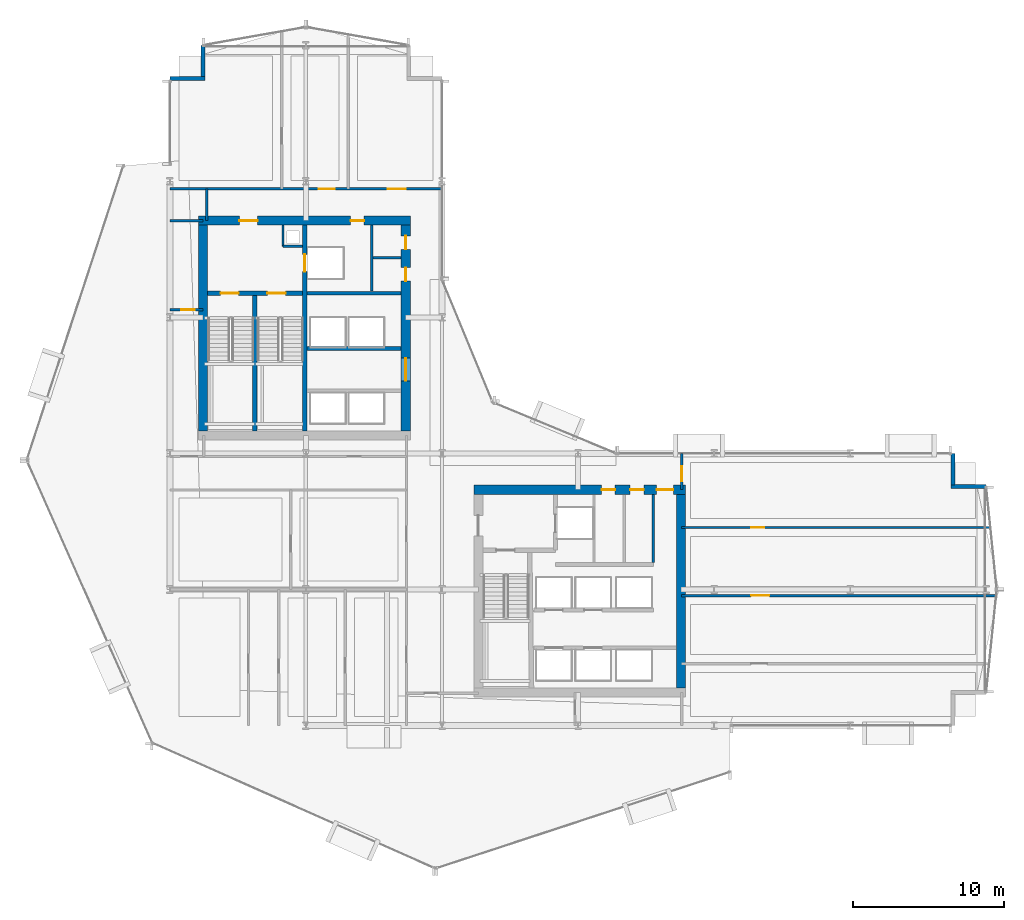
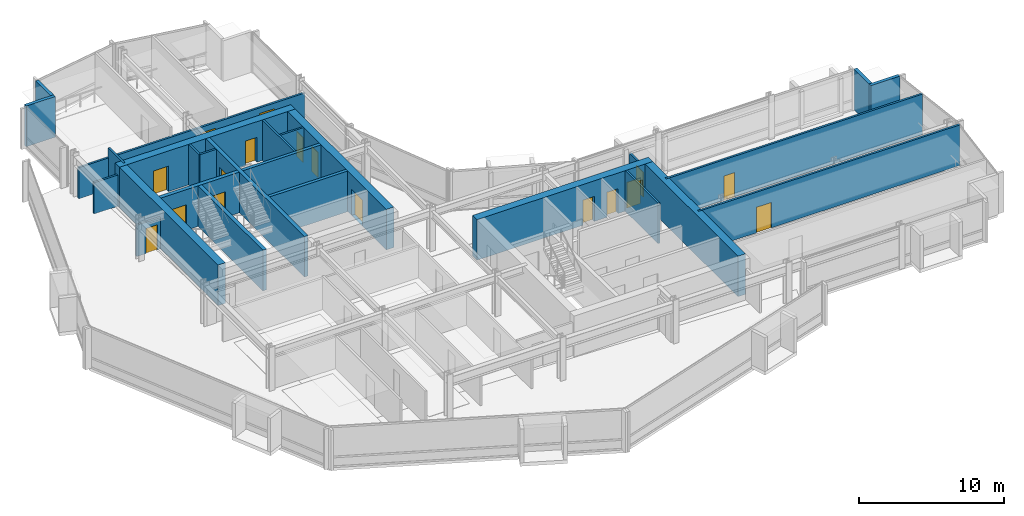
# One storey, part 28 of 34: 26 walls, 17 doors, 17 openings.
"""IFC4 building model written with IfcOpenShell, lengths in metres."""

from ifc_helpers import new_model, si_unit, direction, frame, frame_2d, origin, place, context, subcontext, project, spatial, rectangle, extrude, material, layer, layer_set, type_object, element, fill, save


model = new_model("IFC4")

# Units and contexts
model_context = context("Model", 3, precision=1e-05, world=origin(), true_north=direction((0.0, 1.0)))
body_context = subcontext(model_context, "Body", "Model", "MODEL_VIEW")
ifc_project = project(units=[si_unit("LENGTHUNIT", "METRE"), si_unit("AREAUNIT", "SQUARE_METRE"), si_unit("VOLUMEUNIT", "CUBIC_METRE"), si_unit("PLANEANGLEUNIT", "RADIAN"), si_unit("MASSUNIT", "GRAM", prefix="KILO")], contexts=[model_context])

# Site, building, storey
site_placement = place(None, origin())
site = spatial("IfcSite", under=ifc_project, at=site_placement, CompositionType="ELEMENT")
building_placement = place(site_placement, origin())
building = spatial("IfcBuilding", under=site, at=building_placement, Name="Solvaryn Broadcast Tower", CompositionType="ELEMENT")
storey_placement = place(building_placement, frame((0.0, 0.0, 47.10009765625)))
storey = spatial("IfcBuildingStorey", under=building, at=storey_placement, Name="L10", CompositionType="ELEMENT", Elevation=47.10009765625)

# Wall, openings, doors
ifc_material_1 = material(Name="Concrete f'c 70 MPa", Category="concrete")
ifc_layer_1 = layer(ifc_material_1, 0.60009765625)
ifc_layer_set_1 = layer_set([ifc_layer_1], Name="CW-SHEAR-600")
wall_type_1 = type_object("IfcWallType", Name="CW-SHEAR-600", PredefinedType="SHEAR", material=ifc_layer_set_1)
wall_1_placement = place(storey_placement, frame((24.89990234375, 42.39990234375, 0.0), z_axis=(0.0, 0.0, 1.0), x_axis=(-1.0, 0.0, 0.0)))
wall_1 = element("IfcWall", 1, at=wall_1_placement, inside=storey, type_object=wall_type_1, Name="L10 West Core North Shear Wall", PredefinedType="SHEAR", context=body_context, shape_type="SweptSolid", body=[
    extrude(rectangle(XDim=14.0, YDim=0.60009765625, at=frame_2d((7.0, 0.0))), origin(), (0.0, 0.0, 1.0), 3.419921875),
])
opening_1_placement = place(wall_1_placement, frame((10.10009765625, 0.0, 0.0)))
opening_1 = element("IfcOpeningElement", 2, at=opening_1_placement, cuts=wall_1, Name="Opening FD90A", PredefinedType="OPENING", context=body_context, shape_type="SweptSolid", body=[
    extrude(rectangle(XDim=1.199951171875, YDim=2.14990234375, at=frame_2d((0.60009765625, 1.074951171875))), frame((0.0, 0.31005859375, 0.0), z_axis=(0.0, -1.0, 0.0), x_axis=(1.0, 0.0, 0.0)), (0.0, 0.0, 1.0), 0.6201171875),
])
opening_2_placement = place(wall_1_placement, frame((3.050048828125, 0.0, 0.0)))
opening_2 = element("IfcOpeningElement", 3, at=opening_2_placement, cuts=wall_1, Name="Opening FD60C", PredefinedType="OPENING", context=body_context, shape_type="SweptSolid", body=[
    extrude(rectangle(XDim=0.89990234375, YDim=2.10009765625, at=frame_2d((0.449951171875, 1.050048828125))), frame((0.0, 0.31005859375, 0.0), z_axis=(0.0, -1.0, 0.0), x_axis=(1.0, 0.0, 0.0)), (0.0, 0.0, 1.0), 0.6201171875),
])
ifc_material_2 = material(Name="Flush Acoustic Steel and Timber Door Assembly", Category="steel")
door_type_1 = type_object("IfcDoorType", Name="FD60-SERV-900X2100", OperationType="NOTDEFINED", PredefinedType="DOOR", material=ifc_material_2)
door_1_placement = place(opening_2_placement, origin())
door_1 = element("IfcDoor", 4, at=door_1_placement, inside=storey, type_object=door_type_1, Name="L10 West Core Fiber Riser Door", OperationType="SINGLE_SWING_RIGHT", OverallHeight=2.10009765625, OverallWidth=0.89990234375, PredefinedType="DOOR", context=body_context, shape_type="SweptSolid", body=[
    extrude(rectangle(XDim=0.89990234375, YDim=2.10009765625, at=frame_2d((0.449951171875, 1.050048828125))), frame((0.0, 0.02490234375, 0.0), z_axis=(0.0, -1.0, 0.0), x_axis=(1.0, 0.0, 0.0)), (0.0, 0.0, 1.0), 0.050048828125),
])
fill(opening_2, door_1)
ifc_material_3 = material(Name="Flush Acoustic Steel and Timber Door Assembly", Category="steel")
door_type_2 = type_object("IfcDoorType", Name="FD90-STAIR-1200X2150", OperationType="NOTDEFINED", PredefinedType="DOOR", material=ifc_material_3)
door_2_placement = place(opening_1_placement, origin())
door_2 = element("IfcDoor", 5, at=door_2_placement, inside=storey, type_object=door_type_2, Name="L10 West FSAE Lobby Corridor Door", OperationType="SINGLE_SWING_LEFT", OverallHeight=2.14990234375, OverallWidth=1.199951171875, PredefinedType="DOOR", context=body_context, shape_type="SweptSolid", body=[
    extrude(rectangle(XDim=1.199951171875, YDim=2.14990234375, at=frame_2d((0.60009765625, 1.074951171875))), frame((0.0, 0.02490234375, 0.0), z_axis=(0.0, -1.0, 0.0), x_axis=(1.0, 0.0, 0.0)), (0.0, 0.0, 1.0), 0.050048828125),
])
fill(opening_1, door_2)

# Wall
wall_2_placement = place(storey_placement, frame((11.199951171875, 42.10009765625, 0.0), z_axis=(0.0, 0.0, 1.0), x_axis=(0.0, -1.0, 0.0)))
element("IfcWall", 6, at=wall_2_placement, inside=storey, type_object=wall_type_1, Name="L10 West Core West Shear Wall", PredefinedType="SHEAR", context=body_context, shape_type="SweptSolid", body=[
    extrude(rectangle(XDim=13.60009765625, YDim=0.60009765625, at=frame_2d((6.800048828125, 0.0))), origin(), (0.0, 0.0, 1.0), 3.419921875),
])

# Wall, openings, doors
wall_3_placement = place(storey_placement, frame((24.60009765625, 28.5, 0.0), z_axis=(0.0, 0.0, 1.0), x_axis=(0.0, 1.0, 0.0)))
wall_3 = element("IfcWall", 7, at=wall_3_placement, inside=storey, type_object=wall_type_1, Name="L10 West Core East Shear Wall", PredefinedType="SHEAR", context=body_context, shape_type="SweptSolid", body=[
    extrude(rectangle(XDim=13.60009765625, YDim=0.60009765625, at=frame_2d((6.800048828125, 0.0))), origin(), (0.0, 0.0, 1.0), 3.419921875),
])
opening_3_placement = place(wall_3_placement, frame((3.300048828125, 0.0, 0.0)))
opening_3 = element("IfcOpeningElement", 8, at=opening_3_placement, cuts=wall_3, Name="Opening FD60A", PredefinedType="OPENING", context=body_context, shape_type="SweptSolid", body=[
    extrude(rectangle(XDim=1.5, YDim=2.199951171875, at=frame_2d((0.75, 1.10009765625))), frame((0.0, 0.31005859375, 0.0), z_axis=(0.0, -1.0, 0.0), x_axis=(1.0, 0.0, 0.0)), (0.0, 0.0, 1.0), 0.6201171875),
])
opening_4_placement = place(wall_3_placement, frame((9.89990234375, 0.0, 0.0)))
opening_4 = element("IfcOpeningElement", 9, at=opening_4_placement, cuts=wall_3, Name="Opening FD60C", PredefinedType="OPENING", context=body_context, shape_type="SweptSolid", body=[
    extrude(rectangle(XDim=0.89990234375, YDim=2.10009765625, at=frame_2d((0.449951171875, 1.050048828125))), frame((0.0, 0.31005859375, 0.0), z_axis=(0.0, -1.0, 0.0), x_axis=(1.0, 0.0, 0.0)), (0.0, 0.0, 1.0), 0.6201171875),
])
opening_5_placement = place(wall_3_placement, frame((12.0, 0.0, 0.0)))
opening_5 = element("IfcOpeningElement", 10, at=opening_5_placement, cuts=wall_3, Name="Opening FD60C", PredefinedType="OPENING", context=body_context, shape_type="SweptSolid", body=[
    extrude(rectangle(XDim=0.89990234375, YDim=2.10009765625, at=frame_2d((0.449951171875, 1.050048828125))), frame((0.0, 0.31005859375, 0.0), z_axis=(0.0, -1.0, 0.0), x_axis=(1.0, 0.0, 0.0)), (0.0, 0.0, 1.0), 0.6201171875),
])
ifc_material_4 = material(Name="Flush Acoustic Steel and Timber Door Assembly", Category="steel")
door_type_3 = type_object("IfcDoorType", Name="FD60-CORR-1500X2200", OperationType="NOTDEFINED", PredefinedType="DOOR", material=ifc_material_4)
door_3_placement = place(opening_3_placement, origin())
door_3 = element("IfcDoor", 11, at=door_3_placement, inside=storey, type_object=door_type_3, Name="L10 West Elevator Lobby Corridor Door", OperationType="DOUBLE_DOOR_SINGLE_SWING", OverallHeight=2.199951171875, OverallWidth=1.5, PredefinedType="DOOR", context=body_context, shape_type="SweptSolid", body=[
    extrude(rectangle(XDim=1.5, YDim=2.199951171875, at=frame_2d((0.75, 1.10009765625))), frame((0.0, 0.02490234375, 0.0), z_axis=(0.0, -1.0, 0.0), x_axis=(1.0, 0.0, 0.0)), (0.0, 0.0, 1.0), 0.050048828125),
])
fill(opening_3, door_3)
door_4_placement = place(opening_4_placement, origin())
door_4 = element("IfcDoor", 12, at=door_4_placement, inside=storey, type_object=door_type_1, Name="L10 West Core Service Door 1", OperationType="SINGLE_SWING_LEFT", OverallHeight=2.10009765625, OverallWidth=0.89990234375, PredefinedType="DOOR", context=body_context, shape_type="SweptSolid", body=[
    extrude(rectangle(XDim=0.89990234375, YDim=2.10009765625, at=frame_2d((0.449951171875, 1.050048828125))), frame((0.0, 0.02490234375, 0.0), z_axis=(0.0, -1.0, 0.0), x_axis=(1.0, 0.0, 0.0)), (0.0, 0.0, 1.0), 0.050048828125),
])
fill(opening_4, door_4)
door_5_placement = place(opening_5_placement, origin())
door_5 = element("IfcDoor", 13, at=door_5_placement, inside=storey, type_object=door_type_1, Name="L10 West Core Janitor Door", OperationType="SINGLE_SWING_RIGHT", OverallHeight=2.10009765625, OverallWidth=0.89990234375, PredefinedType="DOOR", context=body_context, shape_type="SweptSolid", body=[
    extrude(rectangle(XDim=0.89990234375, YDim=2.10009765625, at=frame_2d((0.449951171875, 1.050048828125))), frame((0.0, 0.02490234375, 0.0), z_axis=(0.0, -1.0, 0.0), x_axis=(1.0, 0.0, 0.0)), (0.0, 0.0, 1.0), 0.050048828125),
])
fill(opening_5, door_5)

wall_4_placement = place(storey_placement, frame((43.10009765625, 24.60009765625, 0.0), z_axis=(0.0, 0.0, 1.0), x_axis=(-1.0, 0.0, 0.0)))
wall_4 = element("IfcWall", 14, at=wall_4_placement, inside=storey, type_object=wall_type_1, Name="L10 East Core North Shear Wall", PredefinedType="SHEAR", context=body_context, shape_type="SweptSolid", body=[
    extrude(rectangle(XDim=14.0, YDim=0.60009765625, at=frame_2d((7.0, 0.0))), origin(), (0.0, 0.0, 1.0), 3.419921875),
])
opening_6_placement = place(wall_4_placement, frame((0.800048828125, 0.0, 0.0)))
opening_6 = element("IfcOpeningElement", 15, at=opening_6_placement, cuts=wall_4, Name="Opening FD90C", PredefinedType="OPENING", context=body_context, shape_type="SweptSolid", body=[
    extrude(rectangle(XDim=1.10009765625, YDim=2.14990234375, at=frame_2d((0.550048828125, 1.074951171875))), frame((0.0, 0.31005859375, 0.0), z_axis=(0.0, -1.0, 0.0), x_axis=(1.0, 0.0, 0.0)), (0.0, 0.0, 1.0), 0.6201171875),
])
opening_7_placement = place(wall_4_placement, frame((2.75, 0.0, 0.0)))
opening_7 = element("IfcOpeningElement", 16, at=opening_7_placement, cuts=wall_4, Name="Opening FD60C", PredefinedType="OPENING", context=body_context, shape_type="SweptSolid", body=[
    extrude(rectangle(XDim=0.89990234375, YDim=2.10009765625, at=frame_2d((0.449951171875, 1.050048828125))), frame((0.0, 0.31005859375, 0.0), z_axis=(0.0, -1.0, 0.0), x_axis=(1.0, 0.0, 0.0)), (0.0, 0.0, 1.0), 0.6201171875),
])
opening_8_placement = place(wall_4_placement, frame((4.64990234375, 0.0, 0.0)))
opening_8 = element("IfcOpeningElement", 17, at=opening_8_placement, cuts=wall_4, Name="Opening FD60C", PredefinedType="OPENING", context=body_context, shape_type="SweptSolid", body=[
    extrude(rectangle(XDim=0.89990234375, YDim=2.10009765625, at=frame_2d((0.449951171875, 1.050048828125))), frame((0.0, 0.31005859375, 0.0), z_axis=(0.0, -1.0, 0.0), x_axis=(1.0, 0.0, 0.0)), (0.0, 0.0, 1.0), 0.6201171875),
])
door_6_placement = place(opening_7_placement, origin())
door_6 = element("IfcDoor", 18, at=door_6_placement, inside=storey, type_object=door_type_1, Name="L10 Staff Restroom Door", OperationType="SINGLE_SWING_LEFT", OverallHeight=2.10009765625, OverallWidth=0.89990234375, PredefinedType="DOOR", context=body_context, shape_type="SweptSolid", body=[
    extrude(rectangle(XDim=0.89990234375, YDim=2.10009765625, at=frame_2d((0.449951171875, 1.050048828125))), frame((0.0, 0.02490234375, 0.0), z_axis=(0.0, -1.0, 0.0), x_axis=(1.0, 0.0, 0.0)), (0.0, 0.0, 1.0), 0.050048828125),
])
fill(opening_7, door_6)
door_7_placement = place(opening_8_placement, origin())
door_7 = element("IfcDoor", 19, at=door_7_placement, inside=storey, type_object=door_type_1, Name="L10 Accessible WC Door", OperationType="SINGLE_SWING_RIGHT", OverallHeight=2.10009765625, OverallWidth=0.89990234375, PredefinedType="DOOR", context=body_context, shape_type="SweptSolid", body=[
    extrude(rectangle(XDim=0.89990234375, YDim=2.10009765625, at=frame_2d((0.449951171875, 1.050048828125))), frame((0.0, 0.02490234375, 0.0), z_axis=(0.0, -1.0, 0.0), x_axis=(1.0, 0.0, 0.0)), (0.0, 0.0, 1.0), 0.050048828125),
])
fill(opening_8, door_7)
ifc_material_5 = material(Name="Flush Acoustic Steel and Timber Door Assembly", Category="steel")
door_type_4 = type_object("IfcDoorType", Name="FD90-PLANT-1100X2150", OperationType="NOTDEFINED", PredefinedType="DOOR", material=ifc_material_5)
door_8_placement = place(opening_6_placement, origin())
door_8 = element("IfcDoor", 20, at=door_8_placement, inside=storey, type_object=door_type_4, Name="L10 East Core Lobby Corridor Door", OperationType="SINGLE_SWING_LEFT", OverallHeight=2.14990234375, OverallWidth=1.10009765625, PredefinedType="DOOR", context=body_context, shape_type="SweptSolid", body=[
    extrude(rectangle(XDim=1.10009765625, YDim=2.14990234375, at=frame_2d((0.550048828125, 1.074951171875))), frame((0.0, 0.02490234375, 0.0), z_axis=(0.0, -1.0, 0.0), x_axis=(1.0, 0.0, 0.0)), (0.0, 0.0, 1.0), 0.050048828125),
])
fill(opening_6, door_8)

# Walls
wall_5_placement = place(storey_placement, frame((42.800048828125, 11.5, 0.0), z_axis=(0.0, 0.0, 1.0), x_axis=(0.0, 1.0, 0.0)))
element("IfcWall", 21, at=wall_5_placement, inside=storey, type_object=wall_type_1, Name="L10 East Core East Shear Wall", PredefinedType="SHEAR", context=body_context, shape_type="SweptSolid", body=[
    extrude(rectangle(XDim=12.800048828125, YDim=0.60009765625, at=frame_2d((6.39990234375, 0.0))), origin(), (0.0, 0.0, 1.0), 3.419921875),
])
ifc_material_6 = material(Name="Concrete f'c 50 MPa", Category="concrete")
ifc_layer_2 = layer(ifc_material_6, 0.260009765625)
ifc_layer_set_2 = layer_set([ifc_layer_2], Name="EW-PIER-260")
wall_type_2 = type_object("IfcWallType", Name="EW-PIER-260", PredefinedType="SOLIDWALL", material=ifc_layer_set_2)
wall_6_placement = place(storey_placement, frame((9.0, 51.800048828125, 0.0), z_axis=(0.0, 0.0, 1.0), x_axis=(1.0, 0.0, 0.0)))
element("IfcWall", 22, at=wall_6_placement, inside=storey, type_object=wall_type_2, Name="L10 Notched Corner Pier Wall NNW1", PredefinedType="SOLIDWALL", context=body_context, shape_type="SweptSolid", body=[
    extrude(rectangle(XDim=2.320068359375, YDim=0.260009765625, at=frame_2d((1.16015625, 0.0))), origin(), (0.0, 0.0, 1.0), 3.419921875),
])
wall_7_placement = place(storey_placement, frame((11.199951171875, 51.919921875, 0.0), z_axis=(0.0, 0.0, 1.0), x_axis=(0.0, 1.0, 0.0)))
element("IfcWall", 23, at=wall_7_placement, inside=storey, type_object=wall_type_2, Name="L10 Notched Corner Pier Wall NNW2", PredefinedType="SOLIDWALL", context=body_context, shape_type="SweptSolid", body=[
    extrude(rectangle(XDim=2.080078125, YDim=0.260009765625, at=frame_2d((1.0400390625, 0.0))), origin(), (0.0, 0.0, 1.0), 3.419921875),
])
wall_8_placement = place(storey_placement, frame((63.0, 24.800048828125, 0.0), z_axis=(0.0, 0.0, 1.0), x_axis=(-1.0, 0.0, 0.0)))
element("IfcWall", 24, at=wall_8_placement, inside=storey, type_object=wall_type_2, Name="L10 Notched Corner Pier Wall NEE1", PredefinedType="SOLIDWALL", context=body_context, shape_type="SweptSolid", body=[
    extrude(rectangle(XDim=2.320068359375, YDim=0.260009765625, at=frame_2d((1.16015625, 0.0))), origin(), (0.0, 0.0, 1.0), 3.419921875),
])
wall_9_placement = place(storey_placement, frame((60.800048828125, 24.919921875, 0.0), z_axis=(0.0, 0.0, 1.0), x_axis=(0.0, 1.0, 0.0)))
element("IfcWall", 25, at=wall_9_placement, inside=storey, type_object=wall_type_2, Name="L10 Notched Corner Pier Wall NEE2", PredefinedType="SOLIDWALL", context=body_context, shape_type="SweptSolid", body=[
    extrude(rectangle(XDim=2.080078125, YDim=0.260009765625, at=frame_2d((1.0400390625, 0.0))), origin(), (0.0, 0.0, 1.0), 3.419921875),
])
ifc_material_7 = material(Name="Metal-Stud Service Core Partition")
ifc_layer_3 = layer(ifc_material_7, 0.14990234375)
ifc_layer_set_3 = layer_set([ifc_layer_3], Name="IW-PART-150")
wall_type_3 = type_object("IfcWallType", Name="IW-PART-150", PredefinedType="PARTITIONING", material=ifc_layer_set_3)
wall_10_placement = place(storey_placement, frame((16.47998046875, 40.699951171875, 0.0), z_axis=(0.0, 0.0, 1.0), x_axis=(1.0, 0.0, 0.0)))
element("IfcWall", 26, at=wall_10_placement, inside=storey, type_object=wall_type_3, Name="L10 West Core Riser Shaft South Wall", PredefinedType="PARTITIONING", context=body_context, shape_type="SweptSolid", body=[
    extrude(rectangle(XDim=1.2900390625, YDim=0.14990234375, at=frame_2d((0.64501953125, 0.0))), origin(), (0.0, 0.0, 1.0), 3.419921875),
])
wall_11_placement = place(storey_placement, frame((16.47998046875, 40.699951171875, 0.0), z_axis=(0.0, 0.0, 1.0), x_axis=(0.0, 1.0, 0.0)))
element("IfcWall", 27, at=wall_11_placement, inside=storey, type_object=wall_type_3, Name="L10 West Core Riser Shaft West Wall", PredefinedType="PARTITIONING", context=body_context, shape_type="SweptSolid", body=[
    extrude(rectangle(XDim=1.400146484375, YDim=0.14990234375, at=frame_2d((0.7001953125, 0.0))), origin(), (0.0, 0.0, 1.0), 3.419921875),
])
wall_12_placement = place(storey_placement, frame((22.35009765625, 37.72998046875, 0.0), z_axis=(0.0, 0.0, 1.0), x_axis=(0.0, 1.0, 0.0)))
element("IfcWall", 28, at=wall_12_placement, inside=storey, type_object=wall_type_3, Name="L10 Interior Partition IW-L10-CWS-V", PredefinedType="PARTITIONING", context=body_context, shape_type="SweptSolid", body=[
    extrude(rectangle(XDim=4.3701171875, YDim=0.14990234375, at=frame_2d((2.18505859375, 0.0))), origin(), (0.0, 0.0, 1.0), 3.419921875),
])
wall_13_placement = place(storey_placement, frame((22.429931640625, 39.949951171875, 0.0), z_axis=(0.0, 0.0, 1.0), x_axis=(1.0, 0.0, 0.0)))
element("IfcWall", 29, at=wall_13_placement, inside=storey, type_object=wall_type_3, Name="L10 Interior Partition IW-L10-CWS-H", PredefinedType="PARTITIONING", context=body_context, shape_type="SweptSolid", body=[
    extrude(rectangle(XDim=1.8701171875, YDim=0.14990234375, at=frame_2d((0.93505859375, 0.0))), origin(), (0.0, 0.0, 1.0), 3.419921875),
])
wall_14_placement = place(storey_placement, frame((40.97998046875, 19.780029296875, 0.0), z_axis=(0.0, 0.0, 1.0), x_axis=(0.0, 1.0, 0.0)))
element("IfcWall", 30, at=wall_14_placement, inside=storey, type_object=wall_type_3, Name="L10 Interior Partition IW-L10-CE-V3", PredefinedType="PARTITIONING", context=body_context, shape_type="SweptSolid", body=[
    extrude(rectangle(XDim=4.52001953125, YDim=0.14990234375, at=frame_2d((2.260009765625, 0.0))), origin(), (0.0, 0.0, 1.0), 3.419921875),
])

# Wall, opening, door
wall_15_placement = place(storey_placement, frame((9.0, 36.5, 0.0), z_axis=(0.0, 0.0, 1.0), x_axis=(1.0, 0.0, 0.0)))
wall_15 = element("IfcWall", 31, at=wall_15_placement, inside=storey, type_object=wall_type_3, Name="L10 Interior Partition IW-L10-WM-M", PredefinedType="PARTITIONING", context=body_context, shape_type="SweptSolid", body=[
    extrude(rectangle(XDim=2.199951171875, YDim=0.14990234375, at=frame_2d((1.10009765625, 0.0))), origin(), (0.0, 0.0, 1.0), 2.626953125),
])
opening_9_placement = place(wall_15_placement, frame((0.75, 0.0, 0.0)))
opening_9 = element("IfcOpeningElement", 32, at=opening_9_placement, cuts=wall_15, Name="Opening FD60C", PredefinedType="OPENING", context=body_context, shape_type="SweptSolid", body=[
    extrude(rectangle(XDim=0.89990234375, YDim=2.10009765625, at=frame_2d((0.449951171875, 1.050048828125))), frame((0.0, 0.0849609375, 0.0), z_axis=(0.0, -1.0, 0.0), x_axis=(1.0, 0.0, 0.0)), (0.0, 0.0, 1.0), 0.169921875),
])
door_9_placement = place(opening_9_placement, origin())
door_9 = element("IfcDoor", 33, at=door_9_placement, inside=storey, type_object=door_type_1, Name="L10 Door DR-L10-WM1", OperationType="SINGLE_SWING_RIGHT", OverallHeight=2.10009765625, OverallWidth=0.89990234375, PredefinedType="DOOR", context=body_context, shape_type="SweptSolid", body=[
    extrude(rectangle(XDim=0.89990234375, YDim=2.10009765625, at=frame_2d((0.449951171875, 1.050048828125))), frame((0.0, 0.02490234375, 0.0), z_axis=(0.0, -1.0, 0.0), x_axis=(1.0, 0.0, 0.0)), (0.0, 0.0, 1.0), 0.050048828125),
])
fill(opening_9, door_9)

# Walls
ifc_material_8 = material(Name="Metal-Stud Gypsum Office Partition")
ifc_layer_4 = layer(ifc_material_8, 0.159912109375)
ifc_layer_set_4 = layer_set([ifc_layer_4], Name="IW-PART-160")
wall_type_4 = type_object("IfcWallType", Name="IW-PART-160", PredefinedType="PARTITIONING", material=ifc_layer_set_4)
wall_16_placement = place(storey_placement, frame((9.0, 42.39990234375, 0.0), z_axis=(0.0, 0.0, 1.0), x_axis=(1.0, 0.0, 0.0)))
element("IfcWall", 34, at=wall_16_placement, inside=storey, type_object=wall_type_4, Name="L10 Interior Partition IW-L10-WM-N", PredefinedType="PARTITIONING", context=body_context, shape_type="SweptSolid", body=[
    extrude(rectangle(XDim=2.199951171875, YDim=0.159912109375, at=frame_2d((1.10009765625, 0.0))), origin(), (0.0, 0.0, 1.0), 2.626953125),
])
wall_17_placement = place(storey_placement, frame((11.449951171875, 42.39990234375, 0.0), z_axis=(0.0, 0.0, 1.0), x_axis=(0.0, 1.0, 0.0)))
element("IfcWall", 35, at=wall_17_placement, inside=storey, type_object=wall_type_4, Name="L10 Interior Partition IW-L10-WM-E", PredefinedType="PARTITIONING", context=body_context, shape_type="SweptSolid", body=[
    extrude(rectangle(XDim=2.10009765625, YDim=0.159912109375, at=frame_2d((1.050048828125, 0.0))), origin(), (0.0, 0.0, 1.0), 3.419921875),
])

# Wall, openings, doors
wall_18_placement = place(storey_placement, frame((9.0, 44.5, 0.0), z_axis=(0.0, 0.0, 1.0), x_axis=(1.0, 0.0, 0.0)))
wall_18 = element("IfcWall", 36, at=wall_18_placement, inside=storey, type_object=wall_type_4, Name="L10 Interior Partition IW-L10-NW-SB", PredefinedType="PARTITIONING", context=body_context, shape_type="SweptSolid", body=[
    extrude(rectangle(XDim=18.0, YDim=0.159912109375, at=frame_2d((9.0, 0.0))), origin(), (0.0, 0.0, 1.0), 2.626953125),
])
opening_10_placement = place(wall_18_placement, frame((9.85009765625, 0.0, 0.0)))
opening_10 = element("IfcOpeningElement", 37, at=opening_10_placement, cuts=wall_18, Name="Opening ID03", PredefinedType="OPENING", context=body_context, shape_type="SweptSolid", body=[
    extrude(rectangle(XDim=1.050048828125, YDim=2.14990234375, at=frame_2d((0.52490234375, 1.074951171875))), frame((0.0, 0.090087890625, 0.0), z_axis=(0.0, -1.0, 0.0), x_axis=(1.0, 0.0, 0.0)), (0.0, 0.0, 1.0), 0.179931640625),
])
opening_11_placement = place(wall_18_placement, frame((14.39990234375, 0.0, 0.0)))
opening_11 = element("IfcOpeningElement", 38, at=opening_11_placement, cuts=wall_18, Name="Opening ID04", PredefinedType="OPENING", context=body_context, shape_type="SweptSolid", body=[
    extrude(rectangle(XDim=1.199951171875, YDim=2.14990234375, at=frame_2d((0.60009765625, 1.074951171875))), frame((0.0, 0.090087890625, 0.0), z_axis=(0.0, -1.0, 0.0), x_axis=(1.0, 0.0, 0.0)), (0.0, 0.0, 1.0), 0.179931640625),
])
ifc_material_9 = material(Name="Flush Acoustic Steel and Timber Door Assembly", Category="steel")
door_type_5 = type_object("IfcDoorType", Name="ID-03-1050X2150", OperationType="NOTDEFINED", PredefinedType="DOOR", material=ifc_material_9)
door_10_placement = place(opening_10_placement, origin())
door_10 = element("IfcDoor", 39, at=door_10_placement, inside=storey, type_object=door_type_5, Name="L10 Door DR-L10-NW-2", OperationType="SINGLE_SWING_LEFT", OverallHeight=2.14990234375, OverallWidth=1.050048828125, PredefinedType="DOOR", context=body_context, shape_type="SweptSolid", body=[
    extrude(rectangle(XDim=1.050048828125, YDim=2.14990234375, at=frame_2d((0.52490234375, 1.074951171875))), frame((0.0, 0.02490234375, 0.0), z_axis=(0.0, -1.0, 0.0), x_axis=(1.0, 0.0, 0.0)), (0.0, 0.0, 1.0), 0.050048828125),
])
fill(opening_10, door_10)
ifc_material_10 = material(Name="Flush Acoustic Steel and Timber Door Assembly", Category="steel")
door_type_6 = type_object("IfcDoorType", Name="ID-04-1200X2150", OperationType="NOTDEFINED", PredefinedType="DOOR", material=ifc_material_10)
door_11_placement = place(opening_11_placement, origin())
door_11 = element("IfcDoor", 40, at=door_11_placement, inside=storey, type_object=door_type_6, Name="L10 Door DR-L10-NW-3", OperationType="SINGLE_SWING_RIGHT", OverallHeight=2.14990234375, OverallWidth=1.199951171875, PredefinedType="DOOR", context=body_context, shape_type="SweptSolid", body=[
    extrude(rectangle(XDim=1.199951171875, YDim=2.14990234375, at=frame_2d((0.60009765625, 1.074951171875))), frame((0.0, 0.02490234375, 0.0), z_axis=(0.0, -1.0, 0.0), x_axis=(1.0, 0.0, 0.0)), (0.0, 0.0, 1.0), 0.050048828125),
])
fill(opening_11, door_11)

# Wall, opening, door
wall_19_placement = place(storey_placement, frame((42.85009765625, 24.60009765625, 0.0), z_axis=(0.0, 0.0, 1.0), x_axis=(0.0, 1.0, 0.0)))
wall_19 = element("IfcWall", 41, at=wall_19_placement, inside=storey, type_object=wall_type_4, Name="L10 Interior Partition IW-L10-EW-BN", PredefinedType="PARTITIONING", context=body_context, shape_type="SweptSolid", body=[
    extrude(rectangle(XDim=2.39990234375, YDim=0.159912109375, at=frame_2d((1.199951171875, 0.0))), origin(), (0.0, 0.0, 1.0), 2.626953125),
])
opening_12_placement = place(wall_19_placement, frame((0.550048828125, 0.0, 0.0)))
opening_12 = element("IfcOpeningElement", 42, at=opening_12_placement, cuts=wall_19, Name="Opening ID02", PredefinedType="OPENING", context=body_context, shape_type="SweptSolid", body=[
    extrude(rectangle(XDim=1.0, YDim=2.10009765625, at=frame_2d((0.5, 1.050048828125))), frame((0.0, 0.090087890625, 0.0), z_axis=(0.0, -1.0, 0.0), x_axis=(1.0, 0.0, 0.0)), (0.0, 0.0, 1.0), 0.179931640625),
])
ifc_material_11 = material(Name="Flush Acoustic Steel and Timber Door Assembly", Category="steel")
door_type_7 = type_object("IfcDoorType", Name="ID-02-1000X2100", OperationType="NOTDEFINED", PredefinedType="DOOR", material=ifc_material_11)
door_12_placement = place(opening_12_placement, origin())
door_12 = element("IfcDoor", 43, at=door_12_placement, inside=storey, type_object=door_type_7, Name="L10 Door DR-L10-EW0", OperationType="SINGLE_SWING_LEFT", OverallHeight=2.10009765625, OverallWidth=1.0, PredefinedType="DOOR", context=body_context, shape_type="SweptSolid", body=[
    extrude(rectangle(XDim=1.0, YDim=2.10009765625, at=frame_2d((0.5, 1.050048828125))), frame((0.0, 0.02490234375, 0.0), z_axis=(0.0, -1.0, 0.0), x_axis=(1.0, 0.0, 0.0)), (0.0, 0.0, 1.0), 0.050048828125),
])
fill(opening_12, door_12)

wall_20_placement = place(storey_placement, frame((42.85009765625, 17.60009765625, 0.0), z_axis=(0.0, 0.0, 1.0), x_axis=(1.0, 0.0, 0.0)))
wall_20 = element("IfcWall", 44, at=wall_20_placement, inside=storey, type_object=wall_type_4, Name="L10 Interior Partition IW-L10-EW-H2", PredefinedType="PARTITIONING", context=body_context, shape_type="SweptSolid", body=[
    extrude(rectangle(XDim=20.808837890625, YDim=0.159912109375, at=frame_2d((10.404296875, 0.0))), origin(), (0.0, 0.0, 1.0), 3.419921875),
])
opening_13_placement = place(wall_20_placement, frame((4.60009765625, 0.0, 0.0)))
opening_13 = element("IfcOpeningElement", 45, at=opening_13_placement, cuts=wall_20, Name="Opening ID04", PredefinedType="OPENING", context=body_context, shape_type="SweptSolid", body=[
    extrude(rectangle(XDim=1.199951171875, YDim=2.14990234375, at=frame_2d((0.60009765625, 1.074951171875))), frame((0.0, 0.090087890625, 0.0), z_axis=(0.0, -1.0, 0.0), x_axis=(1.0, 0.0, 0.0)), (0.0, 0.0, 1.0), 0.179931640625),
])
door_13_placement = place(opening_13_placement, origin())
door_13 = element("IfcDoor", 46, at=door_13_placement, inside=storey, type_object=door_type_6, Name="L10 Door DR-L10-EW-2", OperationType="SINGLE_SWING_LEFT", OverallHeight=2.14990234375, OverallWidth=1.199951171875, PredefinedType="DOOR", context=body_context, shape_type="SweptSolid", body=[
    extrude(rectangle(XDim=1.199951171875, YDim=2.14990234375, at=frame_2d((0.60009765625, 1.074951171875))), frame((0.0, 0.02490234375, 0.0), z_axis=(0.0, -1.0, 0.0), x_axis=(1.0, 0.0, 0.0)), (0.0, 0.0, 1.0), 0.050048828125),
])
fill(opening_13, door_13)

wall_21_placement = place(storey_placement, frame((42.85009765625, 22.10009765625, 0.0), z_axis=(0.0, 0.0, 1.0), x_axis=(1.0, 0.0, 0.0)))
wall_21 = element("IfcWall", 47, at=wall_21_placement, inside=storey, type_object=wall_type_4, Name="L10 Interior Partition IW-L10-EW-H3", PredefinedType="PARTITIONING", context=body_context, shape_type="SweptSolid", body=[
    extrude(rectangle(XDim=20.427978515625, YDim=0.159912109375, at=frame_2d((10.2138671875, 0.0))), origin(), (0.0, 0.0, 1.0), 3.419921875),
])
opening_14_placement = place(wall_21_placement, frame((4.60009765625, 0.0, 0.0)))
opening_14 = element("IfcOpeningElement", 48, at=opening_14_placement, cuts=wall_21, Name="Opening ID07", PredefinedType="OPENING", context=body_context, shape_type="SweptSolid", body=[
    extrude(rectangle(XDim=0.860107421875, YDim=2.050048828125, at=frame_2d((0.43017578125, 1.02490234375))), frame((0.0, 0.090087890625, 0.0), z_axis=(0.0, -1.0, 0.0), x_axis=(1.0, 0.0, 0.0)), (0.0, 0.0, 1.0), 0.179931640625),
])
ifc_material_12 = material(Name="Flush Acoustic Steel and Timber Door Assembly", Category="steel")
door_type_8 = type_object("IfcDoorType", Name="ID-07-860X2050", OperationType="NOTDEFINED", PredefinedType="DOOR", material=ifc_material_12)
door_14_placement = place(opening_14_placement, origin())
door_14 = element("IfcDoor", 49, at=door_14_placement, inside=storey, type_object=door_type_8, Name="L10 Door DR-L10-EW-3", OperationType="SINGLE_SWING_RIGHT", OverallHeight=2.050048828125, OverallWidth=0.860107421875, PredefinedType="DOOR", context=body_context, shape_type="SweptSolid", body=[
    extrude(rectangle(XDim=0.860107421875, YDim=2.050048828125, at=frame_2d((0.43017578125, 1.02490234375))), frame((0.0, 0.02490234375, 0.0), z_axis=(0.0, -1.0, 0.0), x_axis=(1.0, 0.0, 0.0)), (0.0, 0.0, 1.0), 0.050048828125),
])
fill(opening_14, door_14)

# Walls
ifc_material_13 = material(Name="Concrete f'c 60 MPa", Category="concrete")
ifc_layer_5 = layer(ifc_material_13, 0.25)
ifc_layer_set_5 = layer_set([ifc_layer_5], Name="SW-SHAFT-250")
wall_type_5 = type_object("IfcWallType", Name="SW-SHAFT-250", PredefinedType="PARTITIONING", material=ifc_layer_set_5)
for number, where, z_axis, x_axis, name in (
    (50, (18.070068359375, 37.60009765625, 0.0), (0.0, 0.0, 1.0), (1.0, 0.0, 0.0), "L10 West Core FSAE Hoistway Front Wall"),
    (51, (24.300048828125, 33.949951171875, 0.0), (0.0, 0.0, 1.0), (-1.0, 0.0, 0.0), "L10 High-Rise Lift Bank North Wall"),
):
    element("IfcWall", number, at=place(storey_placement, frame(where, z_axis=z_axis, x_axis=x_axis)), inside=storey, type_object=wall_type_5, Name=name, PredefinedType="PARTITIONING", context=body_context, shape_type="SweptSolid", body=[
        extrude(rectangle(XDim=6.22998046875, YDim=0.25, at=frame_2d((3.114990234375, 0.0))), origin(), (0.0, 0.0, 1.0), 3.419921875),
    ])
ifc_material_14 = material(Name="Concrete f'c 70 MPa", Category="concrete")
ifc_layer_6 = layer(ifc_material_14, 0.300048828125)
ifc_layer_set_6 = layer_set([ifc_layer_6], Name="SW-SHAFT-300")
wall_type_6 = type_object("IfcWallType", Name="SW-SHAFT-300", PredefinedType="SHEAR", material=ifc_layer_set_6)
wall_22_placement = place(storey_placement, frame((14.6201171875, 28.5, 0.0), z_axis=(0.0, 0.0, 1.0), x_axis=(0.0, 1.0, 0.0)))
element("IfcWall", 52, at=wall_22_placement, inside=storey, type_object=wall_type_6, Name="L10 Stair 1-2 Dividing Wall", PredefinedType="SHEAR", context=body_context, shape_type="SweptSolid", body=[
    extrude(rectangle(XDim=8.949951171875, YDim=0.300048828125, at=frame_2d((4.47509765625, 0.0))), origin(), (0.0, 0.0, 1.0), 3.419921875),
])

# Wall, opening, door
wall_23_placement = place(storey_placement, frame((17.919921875, 42.10009765625, 0.0), z_axis=(0.0, 0.0, 1.0), x_axis=(0.0, -1.0, 0.0)))
wall_23 = element("IfcWall", 53, at=wall_23_placement, inside=storey, type_object=wall_type_6, Name="L10 West Core Stair-Lobby Shear Wall", PredefinedType="SHEAR", context=body_context, shape_type="SweptSolid", body=[
    extrude(rectangle(XDim=13.60009765625, YDim=0.300048828125, at=frame_2d((6.800048828125, 0.0))), origin(), (0.0, 0.0, 1.0), 3.419921875),
])
opening_15_placement = place(wall_23_placement, frame((1.925048828125, 0.0, 0.0)))
opening_15 = element("IfcOpeningElement", 54, at=opening_15_placement, cuts=wall_23, Name="Opening LD01", PredefinedType="OPENING", context=body_context, shape_type="SweptSolid", body=[
    extrude(rectangle(XDim=1.14990234375, YDim=2.14990234375, at=frame_2d((0.574951171875, 1.074951171875))), frame((0.0, 0.159912109375, 0.0), z_axis=(0.0, -1.0, 0.0), x_axis=(1.0, 0.0, 0.0)), (0.0, 0.0, 1.0), 0.320068359375),
])
ifc_material_15 = material(Name="Flush Acoustic Steel and Timber Door Assembly", Category="steel")
door_type_9 = type_object("IfcDoorType", Name="LD-LIFT-1150X2150", OperationType="NOTDEFINED", PredefinedType="DOOR", material=ifc_material_15)
door_15_placement = place(opening_15_placement, origin())
door_15 = element("IfcDoor", 55, at=door_15_placement, inside=storey, type_object=door_type_9, Name="L10 FL1 Lift Landing Door", OperationType="DOUBLE_DOOR_SLIDING", OverallHeight=2.14990234375, OverallWidth=1.14990234375, PredefinedType="DOOR", context=body_context, shape_type="SweptSolid", body=[
    extrude(rectangle(XDim=1.14990234375, YDim=2.14990234375, at=frame_2d((0.574951171875, 1.074951171875))), frame((0.0, 0.02490234375, 0.0), z_axis=(0.0, -1.0, 0.0), x_axis=(1.0, 0.0, 0.0)), (0.0, 0.0, 1.0), 0.050048828125),
])
fill(opening_15, door_15)

# Wall, openings, doors
wall_24_placement = place(storey_placement, frame((17.77001953125, 37.60009765625, 0.0), z_axis=(0.0, 0.0, 1.0), x_axis=(-1.0, 0.0, 0.0)))
wall_24 = element("IfcWall", 56, at=wall_24_placement, inside=storey, type_object=wall_type_6, Name="L10 West Core FSAE Lobby South Wall", PredefinedType="SHEAR", context=body_context, shape_type="SweptSolid", body=[
    extrude(rectangle(XDim=6.27001953125, YDim=0.300048828125, at=frame_2d((3.135009765625, 0.0))), origin(), (0.0, 0.0, 1.0), 3.419921875),
])
opening_16_placement = place(wall_24_placement, frame((4.219970703125, 0.0, 0.0)))
opening_16 = element("IfcOpeningElement", 57, at=opening_16_placement, cuts=wall_24, Name="Opening FD90A", PredefinedType="OPENING", context=body_context, shape_type="SweptSolid", body=[
    extrude(rectangle(XDim=1.199951171875, YDim=2.14990234375, at=frame_2d((0.60009765625, 1.074951171875))), frame((0.0, 0.159912109375, 0.0), z_axis=(0.0, -1.0, 0.0), x_axis=(1.0, 0.0, 0.0)), (0.0, 0.0, 1.0), 0.320068359375),
])
opening_17_placement = place(wall_24_placement, frame((1.1201171875, 0.0, 0.0)))
opening_17 = element("IfcOpeningElement", 58, at=opening_17_placement, cuts=wall_24, Name="Opening FD90A", PredefinedType="OPENING", context=body_context, shape_type="SweptSolid", body=[
    extrude(rectangle(XDim=1.199951171875, YDim=2.14990234375, at=frame_2d((0.60009765625, 1.074951171875))), frame((0.0, 0.159912109375, 0.0), z_axis=(0.0, -1.0, 0.0), x_axis=(1.0, 0.0, 0.0)), (0.0, 0.0, 1.0), 0.320068359375),
])
door_16_placement = place(opening_16_placement, origin())
door_16 = element("IfcDoor", 59, at=door_16_placement, inside=storey, type_object=door_type_2, Name="L10 Stair 1 Fire Door", OperationType="SINGLE_SWING_LEFT", OverallHeight=2.14990234375, OverallWidth=1.199951171875, PredefinedType="DOOR", context=body_context, shape_type="SweptSolid", body=[
    extrude(rectangle(XDim=1.199951171875, YDim=2.14990234375, at=frame_2d((0.60009765625, 1.074951171875))), frame((0.0, 0.02490234375, 0.0), z_axis=(0.0, -1.0, 0.0), x_axis=(1.0, 0.0, 0.0)), (0.0, 0.0, 1.0), 0.050048828125),
])
fill(opening_16, door_16)
door_17_placement = place(opening_17_placement, origin())
door_17 = element("IfcDoor", 60, at=door_17_placement, inside=storey, type_object=door_type_2, Name="L10 Stair 2 Fire Door", OperationType="SINGLE_SWING_RIGHT", OverallHeight=2.14990234375, OverallWidth=1.199951171875, PredefinedType="DOOR", context=body_context, shape_type="SweptSolid", body=[
    extrude(rectangle(XDim=1.199951171875, YDim=2.14990234375, at=frame_2d((0.60009765625, 1.074951171875))), frame((0.0, 0.02490234375, 0.0), z_axis=(0.0, -1.0, 0.0), x_axis=(1.0, 0.0, 0.0)), (0.0, 0.0, 1.0), 0.050048828125),
])
fill(opening_17, door_17)

save(model, "model.ifc")
